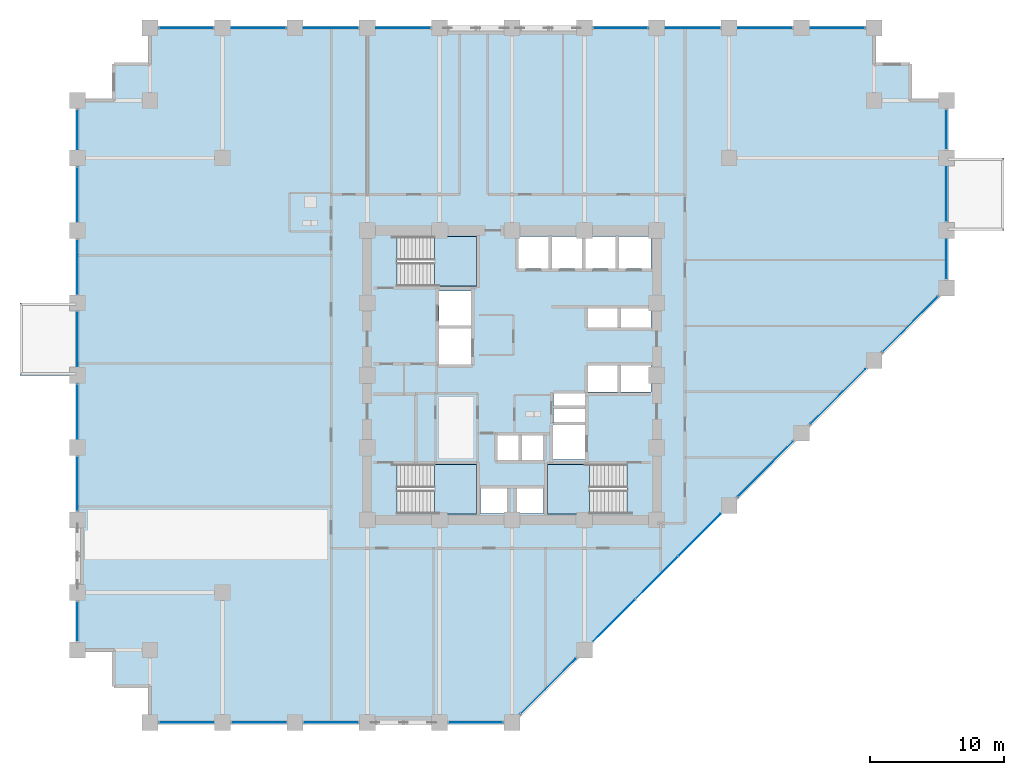
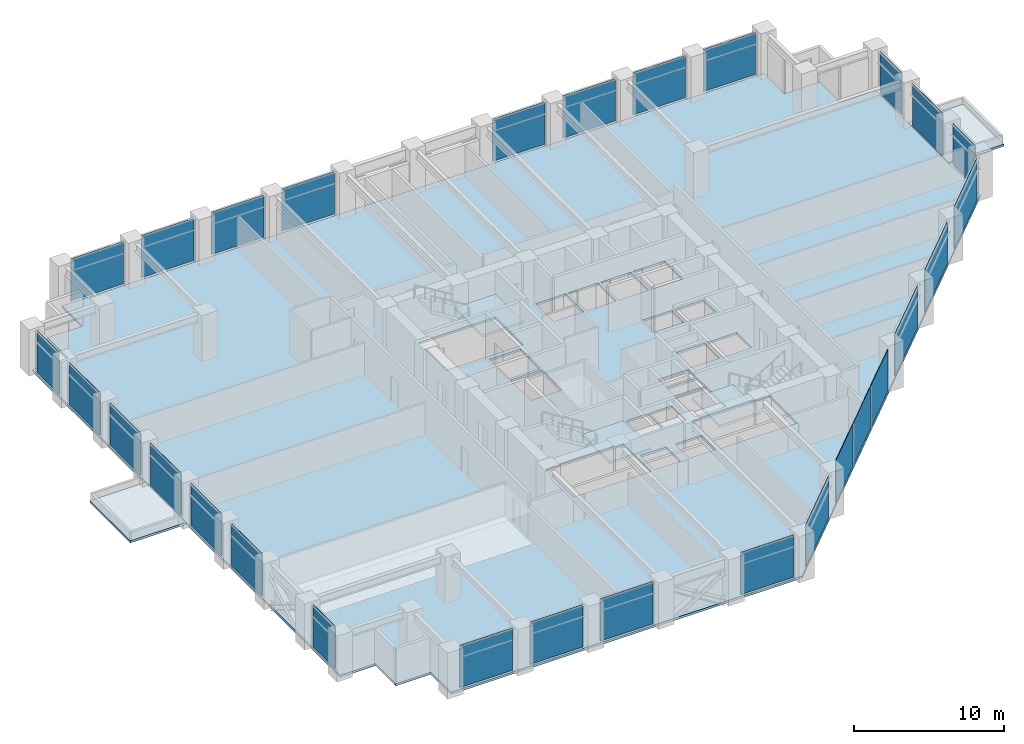
# One storey, part 18 of 26: 29 plates, 6 slabs, 11 elements without a shape of their own.
"""IFC4 building model written with IfcOpenShell, lengths in metres."""

from ifc_helpers import new_model, si_unit, direction, frame, frame_2d, origin, place, context, subcontext, project, spatial, polyline, rectangle, outline, extrude, material, layer, layer_set, type_object, element, aggregate, save


model = new_model("IFC4")

# Units and contexts
model_context = context("Model", 3, precision=1e-05, world=origin(), true_north=direction((0.0, 1.0)))
body_context = subcontext(model_context, "Body", "Model", "MODEL_VIEW")
ifc_project = project(units=[si_unit("LENGTHUNIT", "METRE"), si_unit("AREAUNIT", "SQUARE_METRE"), si_unit("VOLUMEUNIT", "CUBIC_METRE"), si_unit("PLANEANGLEUNIT", "RADIAN"), si_unit("MASSUNIT", "GRAM", prefix="KILO")], contexts=[model_context])

# Site, building, storey
site_placement = place(None, origin())
site = spatial("IfcSite", under=ifc_project, at=site_placement, CompositionType="ELEMENT")
building_placement = place(site_placement, origin())
building = spatial("IfcBuilding", under=site, at=building_placement, Name="Surkhivell Harbour Commons", CompositionType="ELEMENT")
storey_placement = place(building_placement, frame((0.0, 0.0, 71.25)))
storey = spatial("IfcBuildingStorey", under=building, at=storey_placement, Name="L18", CompositionType="ELEMENT", Elevation=71.25)

# Curtain wall, plates
ifc_material_1 = material(Name="Anodised pale-metal aluminium and insulated glazing", Category="aluminium")
ifc_layer_1 = layer(ifc_material_1, 0.219970703125)
ifc_layer_set_1 = layer_set([ifc_layer_1], Name="Anodised pale-metal aluminium and insulated glazing")
curtain_wall_type = type_object("IfcCurtainWallType", Name="CW-SYS-Z1", PredefinedType="NOTDEFINED", material=ifc_layer_set_1)
curtain_wall_1_placement = place(storey_placement, origin())
curtain_wall_1 = element("IfcCurtainWall", 1, at=curtain_wall_1_placement, inside=storey, type_object=curtain_wall_type, Name="L18 Curtain Wall CW-L18-E00S1", PredefinedType="NOTDEFINED")
ifc_material_2 = material(Name="Double-silver low-E laminated vision glass", Category="glass")
ifc_layer_2 = layer(ifc_material_2, 0.031982421875)
ifc_layer_set_2 = layer_set([ifc_layer_2], Name="Double-silver low-E laminated vision glass")
plate_type = type_object("IfcPlateType", Name="CWP-GLZ-32", PredefinedType="CURTAIN_PANEL", material=ifc_layer_set_2)
plate_1_placement = place(storey_placement, frame((-26.322998046875, -25.89990234375, 0.14990234375), z_axis=(0.0, 0.0, 1.0), x_axis=(1.0, 0.0, 0.0)))
plate_1 = element("IfcPlate", 2, at=plate_1_placement, type_object=plate_type, Name="CW-Z1 panel 1.1", PredefinedType="CURTAIN_PANEL", context=body_context, shape_type="SweptSolid", body=[
    extrude(rectangle(XDim=4.0458984375, YDim=0.031982421875, at=frame_2d((2.02294921875, 0.0))), origin(), (0.0, 0.0, 1.0), 3.420166015625),
])
plate_2_placement = place(storey_placement, frame((-20.923095703125, -25.89990234375, 0.14990234375), z_axis=(0.0, 0.0, 1.0), x_axis=(1.0, 0.0, 0.0)))
plate_2 = element("IfcPlate", 3, at=plate_2_placement, type_object=plate_type, Name="CW-Z1 panel 2.1", PredefinedType="CURTAIN_PANEL", context=body_context, shape_type="SweptSolid", body=[
    extrude(rectangle(XDim=4.046142578125, YDim=0.031982421875, at=frame_2d((2.02294921875, 0.0))), origin(), (0.0, 0.0, 1.0), 3.420166015625),
])
plate_3_placement = place(storey_placement, frame((-15.52294921875, -25.89990234375, 0.14990234375), z_axis=(0.0, 0.0, 1.0), x_axis=(1.0, 0.0, 0.0)))
plate_3 = element("IfcPlate", 4, at=plate_3_placement, type_object=plate_type, Name="CW-Z1 panel 3.1", PredefinedType="CURTAIN_PANEL", context=body_context, shape_type="SweptSolid", body=[
    extrude(rectangle(XDim=4.0458984375, YDim=0.031982421875, at=frame_2d((2.02294921875, 0.0))), origin(), (0.0, 0.0, 1.0), 3.420166015625),
])
aggregate(curtain_wall_1, [plate_1, plate_2, plate_3])

# Curtain wall, plate
curtain_wall_2_placement = place(storey_placement, origin())
curtain_wall_2 = element("IfcCurtainWall", 5, at=curtain_wall_2_placement, inside=storey, type_object=curtain_wall_type, Name="L18 Curtain Wall CW-L18-E00S2", PredefinedType="NOTDEFINED")
plate_4_placement = place(storey_placement, frame((-4.722900390625, -25.89990234375, 0.14990234375), z_axis=(0.0, 0.0, 1.0), x_axis=(1.0, 0.0, 0.0)))
plate_4 = element("IfcPlate", 6, at=plate_4_placement, type_object=plate_type, Name="CW-Z1 panel 1.1", PredefinedType="CURTAIN_PANEL", context=body_context, shape_type="SweptSolid", body=[
    extrude(rectangle(XDim=4.0458984375, YDim=0.031982421875, at=frame_2d((2.02294921875, 0.0))), origin(), (0.0, 0.0, 1.0), 3.420166015625),
])
aggregate(curtain_wall_2, [plate_4])

# Curtain wall, plates
curtain_wall_3_placement = place(storey_placement, origin())
curtain_wall_3 = element("IfcCurtainWall", 7, at=curtain_wall_3_placement, inside=storey, type_object=curtain_wall_type, Name="L18 Curtain Wall CW-L18-E01", PredefinedType="NOTDEFINED")
plate_5_placement = place(storey_placement, frame((0.65478515625, -25.2451171875, 0.14990234375), z_axis=(0.0, 0.0, 1.0), x_axis=(0.707106781187, 0.707106781187, 0.0)))
plate_5 = element("IfcPlate", 8, at=plate_5_placement, type_object=plate_type, Name="CW-Z1 panel 1.1", PredefinedType="CURTAIN_PANEL", context=body_context, shape_type="SweptSolid", body=[
    extrude(rectangle(XDim=5.78466796875, YDim=0.031982421875, at=frame_2d((2.892333984375, 0.0))), origin(), (0.0, 0.0, 1.0), 3.420166015625),
])
plate_6_placement = place(storey_placement, frame((6.0546875, -19.84521484375, 0.14990234375), z_axis=(0.0, 0.0, 1.0), x_axis=(0.707106781187, 0.707106781187, 0.0)))
plate_6 = element("IfcPlate", 9, at=plate_6_placement, type_object=plate_type, Name="CW-Z1 panel 2.1", PredefinedType="CURTAIN_PANEL", context=body_context, shape_type="SweptSolid", body=[
    extrude(rectangle(XDim=4.411376953125, YDim=0.031982421875, at=frame_2d((2.20556640625, 0.0))), origin(), (0.0, 0.0, 1.0), 3.420166015625),
])
plate_7_placement = place(storey_placement, frame((9.22705078125, -16.6728515625, 0.14990234375), z_axis=(0.0, 0.0, 1.0), x_axis=(0.707106781187, 0.707106781187, 0.0)))
plate_7 = element("IfcPlate", 10, at=plate_7_placement, type_object=plate_type, Name="CW-Z1 panel 3.1", PredefinedType="CURTAIN_PANEL", context=body_context, shape_type="SweptSolid", body=[
    extrude(rectangle(XDim=4.44873046875, YDim=0.031982421875, at=frame_2d((2.224365234375, 0.0))), origin(), (0.0, 0.0, 1.0), 3.420166015625),
])
plate_8_placement = place(storey_placement, frame((12.426025390625, -13.47412109375, 0.14990234375), z_axis=(0.0, 0.0, 1.0), x_axis=(0.707079108482, 0.707134452808, 0.0)))
plate_8 = element("IfcPlate", 11, at=plate_8_placement, type_object=plate_type, Name="CW-Z1 panel 4.1", PredefinedType="CURTAIN_PANEL", context=body_context, shape_type="SweptSolid", body=[
    extrude(rectangle(XDim=4.411376953125, YDim=0.031982421875, at=frame_2d((2.20556640625, 0.0))), origin(), (0.0, 0.0, 1.0), 3.420166015625),
])
plate_9_placement = place(storey_placement, frame((16.854736328125, -9.045166015625, 0.14990234375), z_axis=(0.0, 0.0, 1.0), x_axis=(0.707127882868, 0.707085678876, 0.0)))
plate_9 = element("IfcPlate", 12, at=plate_9_placement, type_object=plate_type, Name="CW-Z1 panel 5.1", PredefinedType="CURTAIN_PANEL", context=body_context, shape_type="SweptSolid", body=[
    extrude(rectangle(XDim=5.78466796875, YDim=0.031982421875, at=frame_2d((2.892333984375, 0.0))), origin(), (0.0, 0.0, 1.0), 3.420166015625),
])
plate_10_placement = place(storey_placement, frame((22.2548828125, -3.645263671875, 0.14990234375), z_axis=(0.0, 0.0, 1.0), x_axis=(0.707085678876, 0.707127882868, 0.0)))
plate_10 = element("IfcPlate", 13, at=plate_10_placement, type_object=plate_type, Name="CW-Z1 panel 6.1", PredefinedType="CURTAIN_PANEL", context=body_context, shape_type="SweptSolid", body=[
    extrude(rectangle(XDim=5.78466796875, YDim=0.031982421875, at=frame_2d((2.892333984375, 0.0))), origin(), (0.0, 0.0, 1.0), 3.420166015625),
])
plate_11_placement = place(storey_placement, frame((27.65478515625, 1.7548828125, 0.14990234375), z_axis=(0.0, 0.0, 1.0), x_axis=(0.707106781187, 0.707106781187, 0.0)))
plate_11 = element("IfcPlate", 14, at=plate_11_placement, type_object=plate_type, Name="CW-Z1 panel 7.1", PredefinedType="CURTAIN_PANEL", context=body_context, shape_type="SweptSolid", body=[
    extrude(rectangle(XDim=5.78466796875, YDim=0.031982421875, at=frame_2d((2.892333984375, 0.0))), origin(), (0.0, 0.0, 1.0), 3.420166015625),
])
aggregate(curtain_wall_3, [plate_5, plate_6, plate_7, plate_8, plate_9, plate_10, plate_11])

curtain_wall_4_placement = place(storey_placement, origin())
curtain_wall_4 = element("IfcCurtainWall", 15, at=curtain_wall_4_placement, inside=storey, type_object=curtain_wall_type, Name="L18 Curtain Wall CW-L18-E02", PredefinedType="NOTDEFINED")
plate_12_placement = place(storey_placement, frame((32.39990234375, 7.177001953125, 0.14990234375), z_axis=(0.0, 0.0, 1.0), x_axis=(0.0, 1.0, 0.0)))
plate_12 = element("IfcPlate", 16, at=plate_12_placement, type_object=plate_type, Name="CW-Z1 panel 1.1", PredefinedType="CURTAIN_PANEL", context=body_context, shape_type="SweptSolid", body=[
    extrude(rectangle(XDim=2.946044921875, YDim=0.031982421875, at=frame_2d((1.47314453125, 0.0))), origin(), (0.0, 0.0, 1.0), 3.420166015625),
])
plate_13_placement = place(storey_placement, frame((32.39990234375, 11.47705078125, 0.14990234375), z_axis=(0.0, 0.0, 1.0), x_axis=(0.0, 1.0, 0.0)))
plate_13 = element("IfcPlate", 17, at=plate_13_placement, type_object=plate_type, Name="CW-Z1 panel 2.1", PredefinedType="CURTAIN_PANEL", context=body_context, shape_type="SweptSolid", body=[
    extrude(rectangle(XDim=4.0458984375, YDim=0.031982421875, at=frame_2d((2.02294921875, 0.0))), origin(), (0.0, 0.0, 1.0), 3.420166015625),
])
plate_14_placement = place(storey_placement, frame((32.39990234375, 16.876953125, 0.14990234375), z_axis=(0.0, 0.0, 1.0), x_axis=(0.0, 1.0, 0.0)))
plate_14 = element("IfcPlate", 18, at=plate_14_placement, type_object=plate_type, Name="CW-Z1 panel 3.1", PredefinedType="CURTAIN_PANEL", context=body_context, shape_type="SweptSolid", body=[
    extrude(rectangle(XDim=2.946044921875, YDim=0.031982421875, at=frame_2d((1.47314453125, 0.0))), origin(), (0.0, 0.0, 1.0), 3.420166015625),
])
aggregate(curtain_wall_4, [plate_12, plate_13, plate_14])

curtain_wall_5_placement = place(storey_placement, origin())
curtain_wall_5 = element("IfcCurtainWall", 19, at=curtain_wall_5_placement, inside=storey, type_object=curtain_wall_type, Name="L18 Curtain Wall CW-L18-E07S1", PredefinedType="NOTDEFINED")
plate_15_placement = place(storey_placement, frame((26.322998046875, 25.89990234375, 0.14990234375), z_axis=(0.0, 0.0, 1.0), x_axis=(-1.0, 0.0, 0.0)))
plate_15 = element("IfcPlate", 20, at=plate_15_placement, type_object=plate_type, Name="CW-Z1 panel 1.1", PredefinedType="CURTAIN_PANEL", context=body_context, shape_type="SweptSolid", body=[
    extrude(rectangle(XDim=4.0458984375, YDim=0.031982421875, at=frame_2d((2.02294921875, 0.0))), origin(), (0.0, 0.0, 1.0), 3.420166015625),
])
plate_16_placement = place(storey_placement, frame((20.923095703125, 25.89990234375, 0.14990234375), z_axis=(0.0, 0.0, 1.0), x_axis=(-1.0, 0.0, 0.0)))
plate_16 = element("IfcPlate", 21, at=plate_16_placement, type_object=plate_type, Name="CW-Z1 panel 2.1", PredefinedType="CURTAIN_PANEL", context=body_context, shape_type="SweptSolid", body=[
    extrude(rectangle(XDim=4.046142578125, YDim=0.031982421875, at=frame_2d((2.02294921875, 0.0))), origin(), (0.0, 0.0, 1.0), 3.420166015625),
])
plate_17_placement = place(storey_placement, frame((15.52294921875, 25.89990234375, 0.14990234375), z_axis=(0.0, 0.0, 1.0), x_axis=(-1.0, 0.0, 0.0)))
plate_17 = element("IfcPlate", 22, at=plate_17_placement, type_object=plate_type, Name="CW-Z1 panel 3.1", PredefinedType="CURTAIN_PANEL", context=body_context, shape_type="SweptSolid", body=[
    extrude(rectangle(XDim=4.0458984375, YDim=0.031982421875, at=frame_2d((2.02294921875, 0.0))), origin(), (0.0, 0.0, 1.0), 3.420166015625),
])
plate_18_placement = place(storey_placement, frame((10.123046875, 25.89990234375, 0.14990234375), z_axis=(0.0, 0.0, 1.0), x_axis=(-1.0, 0.0, 0.0)))
plate_18 = element("IfcPlate", 23, at=plate_18_placement, type_object=plate_type, Name="CW-Z1 panel 4.1", PredefinedType="CURTAIN_PANEL", context=body_context, shape_type="SweptSolid", body=[
    extrude(rectangle(XDim=4.046142578125, YDim=0.031982421875, at=frame_2d((2.02294921875, 0.0))), origin(), (0.0, 0.0, 1.0), 3.420166015625),
])
aggregate(curtain_wall_5, [plate_15, plate_16, plate_17, plate_18])

curtain_wall_6_placement = place(storey_placement, origin())
curtain_wall_6 = element("IfcCurtainWall", 24, at=curtain_wall_6_placement, inside=storey, type_object=curtain_wall_type, Name="L18 Curtain Wall CW-L18-E07S2", PredefinedType="NOTDEFINED")
plate_19_placement = place(storey_placement, frame((-6.076904296875, 25.89990234375, 0.14990234375), z_axis=(0.0, 0.0, 1.0), x_axis=(-1.0, 0.0, 0.0)))
plate_19 = element("IfcPlate", 25, at=plate_19_placement, type_object=plate_type, Name="CW-Z1 panel 1.1", PredefinedType="CURTAIN_PANEL", context=body_context, shape_type="SweptSolid", body=[
    extrude(rectangle(XDim=4.046142578125, YDim=0.031982421875, at=frame_2d((2.02294921875, 0.0))), origin(), (0.0, 0.0, 1.0), 3.420166015625),
])
plate_20_placement = place(storey_placement, frame((-11.47705078125, 25.89990234375, 0.14990234375), z_axis=(0.0, 0.0, 1.0), x_axis=(-1.0, 0.0, 0.0)))
plate_20 = element("IfcPlate", 26, at=plate_20_placement, type_object=plate_type, Name="CW-Z1 panel 2.1", PredefinedType="CURTAIN_PANEL", context=body_context, shape_type="SweptSolid", body=[
    extrude(rectangle(XDim=4.0458984375, YDim=0.031982421875, at=frame_2d((2.02294921875, 0.0))), origin(), (0.0, 0.0, 1.0), 3.420166015625),
])
plate_21_placement = place(storey_placement, frame((-16.876953125, 25.89990234375, 0.14990234375), z_axis=(0.0, 0.0, 1.0), x_axis=(-1.0, 0.0, 0.0)))
plate_21 = element("IfcPlate", 27, at=plate_21_placement, type_object=plate_type, Name="CW-Z1 panel 3.1", PredefinedType="CURTAIN_PANEL", context=body_context, shape_type="SweptSolid", body=[
    extrude(rectangle(XDim=4.046142578125, YDim=0.031982421875, at=frame_2d((2.02294921875, 0.0))), origin(), (0.0, 0.0, 1.0), 3.420166015625),
])
plate_22_placement = place(storey_placement, frame((-22.277099609375, 25.89990234375, 0.14990234375), z_axis=(0.0, 0.0, 1.0), x_axis=(-1.0, 0.0, 0.0)))
plate_22 = element("IfcPlate", 28, at=plate_22_placement, type_object=plate_type, Name="CW-Z1 panel 4.1", PredefinedType="CURTAIN_PANEL", context=body_context, shape_type="SweptSolid", body=[
    extrude(rectangle(XDim=4.0458984375, YDim=0.031982421875, at=frame_2d((2.02294921875, 0.0))), origin(), (0.0, 0.0, 1.0), 3.420166015625),
])
aggregate(curtain_wall_6, [plate_19, plate_20, plate_21, plate_22])

curtain_wall_7_placement = place(storey_placement, origin())
curtain_wall_7 = element("IfcCurtainWall", 29, at=curtain_wall_7_placement, inside=storey, type_object=curtain_wall_type, Name="L18 Curtain Wall CW-L18-E12S1", PredefinedType="NOTDEFINED")
plate_23_placement = place(storey_placement, frame((-32.39990234375, 19.822998046875, 0.14990234375), z_axis=(0.0, 0.0, 1.0), x_axis=(0.0, -1.0, 0.0)))
plate_23 = element("IfcPlate", 30, at=plate_23_placement, type_object=plate_type, Name="CW-Z1 panel 1.1", PredefinedType="CURTAIN_PANEL", context=body_context, shape_type="SweptSolid", body=[
    extrude(rectangle(XDim=2.946044921875, YDim=0.031982421875, at=frame_2d((1.47314453125, 0.0))), origin(), (0.0, 0.0, 1.0), 3.420166015625),
])
plate_24_placement = place(storey_placement, frame((-32.39990234375, 15.52294921875, 0.14990234375), z_axis=(0.0, 0.0, 1.0), x_axis=(0.0, -1.0, 0.0)))
plate_24 = element("IfcPlate", 31, at=plate_24_placement, type_object=plate_type, Name="CW-Z1 panel 2.1", PredefinedType="CURTAIN_PANEL", context=body_context, shape_type="SweptSolid", body=[
    extrude(rectangle(XDim=4.0458984375, YDim=0.031982421875, at=frame_2d((2.02294921875, 0.0))), origin(), (0.0, 0.0, 1.0), 3.420166015625),
])
plate_25_placement = place(storey_placement, frame((-32.39990234375, 10.123046875, 0.14990234375), z_axis=(0.0, 0.0, 1.0), x_axis=(0.0, -1.0, 0.0)))
plate_25 = element("IfcPlate", 32, at=plate_25_placement, type_object=plate_type, Name="CW-Z1 panel 3.1", PredefinedType="CURTAIN_PANEL", context=body_context, shape_type="SweptSolid", body=[
    extrude(rectangle(XDim=4.046142578125, YDim=0.031982421875, at=frame_2d((2.02294921875, 0.0))), origin(), (0.0, 0.0, 1.0), 3.420166015625),
])
plate_26_placement = place(storey_placement, frame((-32.39990234375, 4.722900390625, 0.14990234375), z_axis=(0.0, 0.0, 1.0), x_axis=(0.0, -1.0, 0.0)))
plate_26 = element("IfcPlate", 33, at=plate_26_placement, type_object=plate_type, Name="CW-Z1 panel 4.1", PredefinedType="CURTAIN_PANEL", context=body_context, shape_type="SweptSolid", body=[
    extrude(rectangle(XDim=4.0458984375, YDim=0.031982421875, at=frame_2d((2.02294921875, 0.0))), origin(), (0.0, 0.0, 1.0), 3.420166015625),
])
plate_27_placement = place(storey_placement, frame((-32.39990234375, -0.677001953125, 0.14990234375), z_axis=(0.0, 0.0, 1.0), x_axis=(0.0, -1.0, 0.0)))
plate_27 = element("IfcPlate", 34, at=plate_27_placement, type_object=plate_type, Name="CW-Z1 panel 5.1", PredefinedType="CURTAIN_PANEL", context=body_context, shape_type="SweptSolid", body=[
    extrude(rectangle(XDim=4.0458984375, YDim=0.031982421875, at=frame_2d((2.02294921875, 0.0))), origin(), (0.0, 0.0, 1.0), 3.420166015625),
])
plate_28_placement = place(storey_placement, frame((-32.39990234375, -6.076904296875, 0.14990234375), z_axis=(0.0, 0.0, 1.0), x_axis=(0.0, -1.0, 0.0)))
plate_28 = element("IfcPlate", 35, at=plate_28_placement, type_object=plate_type, Name="CW-Z1 panel 6.1", PredefinedType="CURTAIN_PANEL", context=body_context, shape_type="SweptSolid", body=[
    extrude(rectangle(XDim=4.046142578125, YDim=0.031982421875, at=frame_2d((2.02294921875, 0.0))), origin(), (0.0, 0.0, 1.0), 3.420166015625),
])
aggregate(curtain_wall_7, [plate_23, plate_24, plate_25, plate_26, plate_27, plate_28])

# Curtain wall, plate
curtain_wall_8_placement = place(storey_placement, origin())
curtain_wall_8 = element("IfcCurtainWall", 36, at=curtain_wall_8_placement, inside=storey, type_object=curtain_wall_type, Name="L18 Curtain Wall CW-L18-E12S2", PredefinedType="NOTDEFINED")
plate_29_placement = place(storey_placement, frame((-32.39990234375, -16.876953125, 0.14990234375), z_axis=(0.0, 0.0, 1.0), x_axis=(0.0, -1.0, 0.0)))
plate_29 = element("IfcPlate", 37, at=plate_29_placement, type_object=plate_type, Name="CW-Z1 panel 1.1", PredefinedType="CURTAIN_PANEL", context=body_context, shape_type="SweptSolid", body=[
    extrude(rectangle(XDim=2.946044921875, YDim=0.031982421875, at=frame_2d((1.47314453125, 0.0))), origin(), (0.0, 0.0, 1.0), 3.420166015625),
])
aggregate(curtain_wall_8, [plate_29])

# Slabs
ifc_material_3 = material(Name="Concrete C45/55", Category="concrete")
ifc_layer_3 = layer(ifc_material_3, 0.179931640625)
ifc_layer_set_3 = layer_set([ifc_layer_3], Name="Concrete C45/55")
slab_type_1 = type_object("IfcSlabType", Name="SLB-BOXRF-180", PredefinedType="ROOF", material=ifc_layer_set_3)
slab_1_placement = place(storey_placement, frame((0.0, 0.0, -0.179931640625)))
element("IfcSlab", 38, at=slab_1_placement, inside=storey, type_object=slab_type_1, Name="L18 Closed Box-Cluster Roof Slab 1", PredefinedType="ROOF", context=body_context, shape_type="SweptSolid", body=[
    extrude(outline(polyline([(36.699951171875, 16.199951171875), (32.419921875, 16.199951171875), (32.419921875, 10.800048828125), (36.699951171875, 10.800048828125), (36.699951171875, 16.199951171875)])), origin(), (0.0, 0.0, 1.0), 0.179931640625),
])
slab_2_placement = place(storey_placement, frame((0.0, 0.0, -0.179931640625)))
element("IfcSlab", 39, at=slab_2_placement, inside=storey, type_object=slab_type_1, Name="L18 Closed Box-Cluster Roof Slab 2", PredefinedType="ROOF", context=body_context, shape_type="SweptSolid", body=[
    extrude(outline(polyline([(-36.699951171875, 0.0), (-32.419921875, 0.0), (-32.419921875, 5.39990234375), (-36.699951171875, 5.39990234375), (-36.699951171875, 0.0)])), origin(), (0.0, 0.0, 1.0), 0.179931640625),
])

# Stair, slab
ifc_material_4 = material(Name="Precast concrete C45/55", Category="concrete")
stair_type = type_object("IfcStairType", Name="STR-DL-375", PredefinedType="HALF_TURN_STAIR", material=ifc_material_4)
stair_1_placement = place(storey_placement, origin())
stair_1 = element("IfcStair", 40, at=stair_1_placement, inside=storey, type_object=stair_type, Name="L18 Core Exit Stair ST1", PredefinedType="HALF_TURN_STAIR")
ifc_material_5 = material(Name="Reinforced concrete C45/55", Category="concrete")
ifc_layer_4 = layer(ifc_material_5, 0.199951171875)
ifc_layer_set_4 = layer_set([ifc_layer_4], Name="Reinforced concrete C45/55")
slab_type_2 = type_object("IfcSlabType", Name="SLB-ST-LND200", PredefinedType="LANDING", material=ifc_layer_set_4)
slab_3_placement = place(storey_placement, frame((0.0, 0.0, 1.675048828125)))
slab_3 = element("IfcSlab", 41, at=slab_3_placement, type_object=slab_type_2, Name="ST1 landing 1", PredefinedType="LANDING", context=body_context, shape_type="SweptSolid", body=[
    extrude(outline(polyline([(-5.7900390625, 6.639892578125), (-2.639892578125, 6.639892578125), (-2.639892578125, 10.340087890625), (-5.7900390625, 10.340087890625), (-5.7900390625, 6.639892578125)])), origin(), (0.0, 0.0, 1.0), 0.199951171875),
])
aggregate(stair_1, [slab_3])

stair_2_placement = place(storey_placement, origin())
stair_2 = element("IfcStair", 42, at=stair_2_placement, inside=storey, type_object=stair_type, Name="L18 Core Exit Stair ST2", PredefinedType="HALF_TURN_STAIR")
slab_4_placement = place(storey_placement, frame((0.0, 0.0, 1.675048828125)))
slab_4 = element("IfcSlab", 43, at=slab_4_placement, type_object=slab_type_2, Name="ST2 landing 1", PredefinedType="LANDING", context=body_context, shape_type="SweptSolid", body=[
    extrude(outline(polyline([(5.7900390625, -6.639892578125), (2.639892578125, -6.639892578125), (2.639892578125, -10.340087890625), (5.7900390625, -10.340087890625), (5.7900390625, -6.639892578125)])), origin(), (0.0, 0.0, 1.0), 0.199951171875),
])
aggregate(stair_2, [slab_4])

stair_3_placement = place(storey_placement, origin())
stair_3 = element("IfcStair", 44, at=stair_3_placement, inside=storey, type_object=stair_type, Name="L18 Core Exit Stair ST3", PredefinedType="HALF_TURN_STAIR")
slab_5_placement = place(storey_placement, frame((0.0, 0.0, 1.675048828125)))
slab_5 = element("IfcSlab", 45, at=slab_5_placement, type_object=slab_type_2, Name="ST3 landing 1", PredefinedType="LANDING", context=body_context, shape_type="SweptSolid", body=[
    extrude(outline(polyline([(-5.7900390625, -10.340087890625), (-2.639892578125, -10.340087890625), (-2.639892578125, -6.639892578125), (-5.7900390625, -6.639892578125), (-5.7900390625, -10.340087890625)])), origin(), (0.0, 0.0, 1.0), 0.199951171875),
])
aggregate(stair_3, [slab_5])

# Slab
ifc_layer_5 = layer(ifc_material_3, 0.179931640625)
ifc_layer_set_5 = layer_set([ifc_layer_5], Name="Concrete C45/55")
slab_type_3 = type_object("IfcSlabType", Name="SLB-TYP-180", PredefinedType="FLOOR", material=ifc_layer_set_5)
slab_6_placement = place(storey_placement, frame((0.0, 0.0, -0.179931640625)))
element("IfcSlab", 46, at=slab_6_placement, inside=storey, type_object=slab_type_3, Name="L18 Structural Floor Slab", PredefinedType="FLOOR", context=body_context, shape_type="SweptSolid", body=[
    extrude(outline(polyline([(-27.0, -25.89990234375), (0.0, -25.89990234375), (32.39990234375, 6.5), (32.39990234375, 20.5), (29.699951171875, 20.5), (29.699951171875, 23.199951171875), (27.0, 23.199951171875), (27.0, 25.89990234375), (-27.0, 25.89990234375), (-27.0, 23.199951171875), (-29.699951171875, 23.199951171875), (-29.699951171875, 20.5), (-32.39990234375, 20.5), (-32.39990234375, -20.5), (-29.699951171875, -20.5), (-29.699951171875, -23.199951171875), (-27.0, -23.199951171875), (-27.0, -25.89990234375)]), holes=[polyline([(-8.590087890625, 6.639892578125), (-2.639892578125, 6.639892578125), (-2.639892578125, 10.340087890625), (-8.590087890625, 10.340087890625), (-8.590087890625, 6.639892578125)]), polyline([(8.590087890625, -6.639892578125), (2.639892578125, -6.639892578125), (2.639892578125, -10.340087890625), (8.590087890625, -10.340087890625), (8.590087890625, -6.639892578125)]), polyline([(-8.590087890625, -10.340087890625), (-2.639892578125, -10.340087890625), (-2.639892578125, -6.639892578125), (-8.590087890625, -6.639892578125), (-8.590087890625, -10.340087890625)]), polyline([(0.449951171875, 7.949951171875), (2.75, 7.949951171875), (2.75, 10.35009765625), (0.449951171875, 10.35009765625), (0.449951171875, 7.949951171875)]), polyline([(2.949951171875, 7.949951171875), (5.25, 7.949951171875), (5.25, 10.35009765625), (2.949951171875, 10.35009765625), (2.949951171875, 7.949951171875)]), polyline([(5.449951171875, 7.949951171875), (7.75, 7.949951171875), (7.75, 10.35009765625), (5.449951171875, 10.35009765625), (5.449951171875, 7.949951171875)]), polyline([(7.949951171875, 7.949951171875), (10.35009765625, 7.949951171875), (10.35009765625, 10.35009765625), (7.949951171875, 10.35009765625), (7.949951171875, 7.949951171875)]), polyline([(5.64990234375, 3.550048828125), (7.89990234375, 3.550048828125), (7.89990234375, 5.14990234375), (5.64990234375, 5.14990234375), (5.64990234375, 3.550048828125)]), polyline([(8.10009765625, 3.550048828125), (10.35009765625, 3.550048828125), (10.35009765625, 5.14990234375), (8.10009765625, 5.14990234375), (8.10009765625, 3.550048828125)]), polyline([(5.64990234375, -1.25), (7.89990234375, -1.25), (7.89990234375, 0.75), (5.64990234375, 0.75), (5.64990234375, -1.25)]), polyline([(8.10009765625, -1.25), (10.35009765625, -1.25), (10.35009765625, 0.75), (8.10009765625, 0.75), (8.10009765625, -1.25)]), polyline([(-1.14990234375, -6.35009765625), (0.550048828125, -6.35009765625), (0.550048828125, -4.449951171875), (-1.14990234375, -4.449951171875), (-1.14990234375, -6.35009765625)]), polyline([(0.679931640625, -6.35009765625), (2.3798828125, -6.35009765625), (2.3798828125, -4.449951171875), (0.679931640625, -4.449951171875), (0.679931640625, -6.35009765625)]), polyline([(-2.35009765625, -10.300048828125), (-0.35009765625, -10.300048828125), (-0.35009765625, -8.39990234375), (-2.35009765625, -8.39990234375), (-2.35009765625, -10.300048828125)]), polyline([(0.35009765625, -10.300048828125), (2.35009765625, -10.300048828125), (2.35009765625, -8.39990234375), (0.35009765625, -8.39990234375), (0.35009765625, -10.300048828125)]), polyline([(-5.449951171875, 3.699951171875), (-3.050048828125, 3.699951171875), (-3.050048828125, 6.300048828125), (-5.449951171875, 6.300048828125), (-5.449951171875, 3.699951171875)]), polyline([(3.050048828125, -6.300048828125), (5.449951171875, -6.300048828125), (5.449951171875, -3.699951171875), (3.050048828125, -3.699951171875), (3.050048828125, -6.300048828125)]), polyline([(-5.449951171875, 0.800048828125), (-3.050048828125, 0.800048828125), (-3.050048828125, 3.5), (-5.449951171875, 3.5), (-5.449951171875, 0.800048828125)]), polyline([(3.10009765625, -3.550048828125), (5.449951171875, -3.550048828125), (5.449951171875, -2.47998046875), (3.10009765625, -2.47998046875), (3.10009765625, -3.550048828125)]), polyline([(3.10009765625, -2.280029296875), (5.449951171875, -2.280029296875), (5.449951171875, -1.35009765625), (3.10009765625, -1.35009765625), (3.10009765625, -2.280029296875)])]), origin(), (0.0, 0.0, 1.0), 0.179931640625),
])

save(model, "model.ifc")
